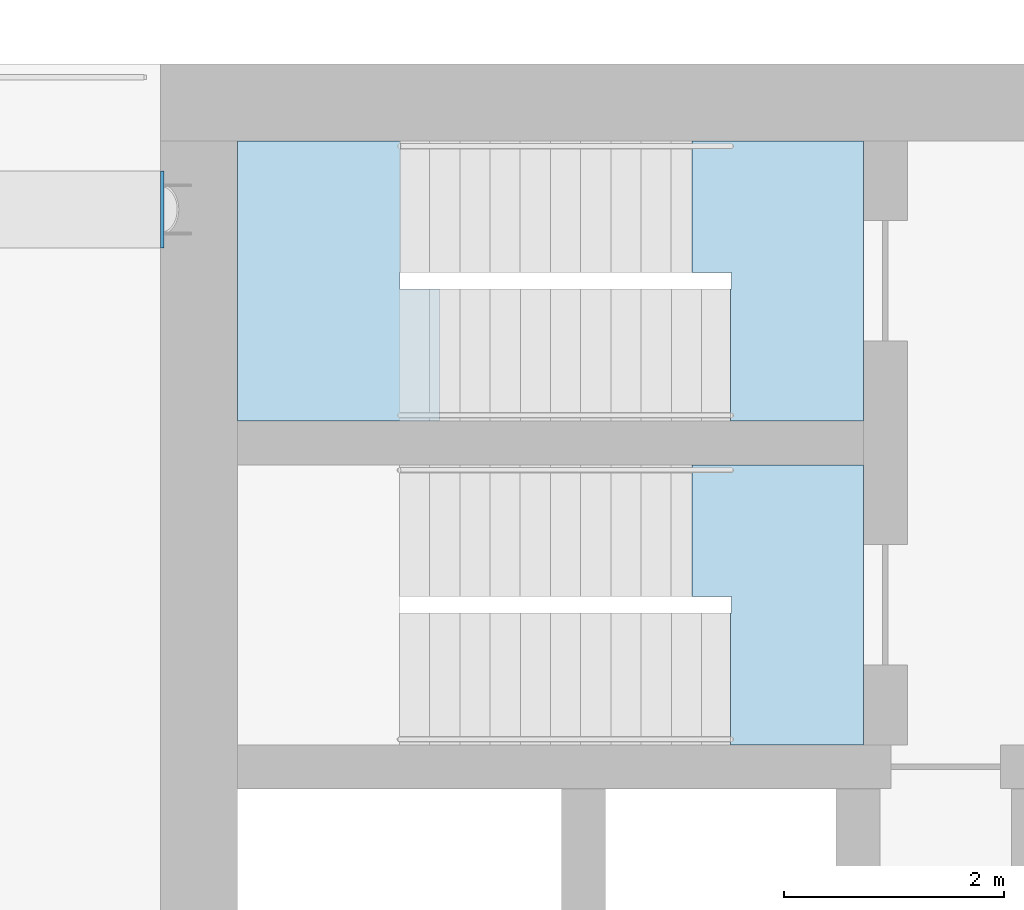
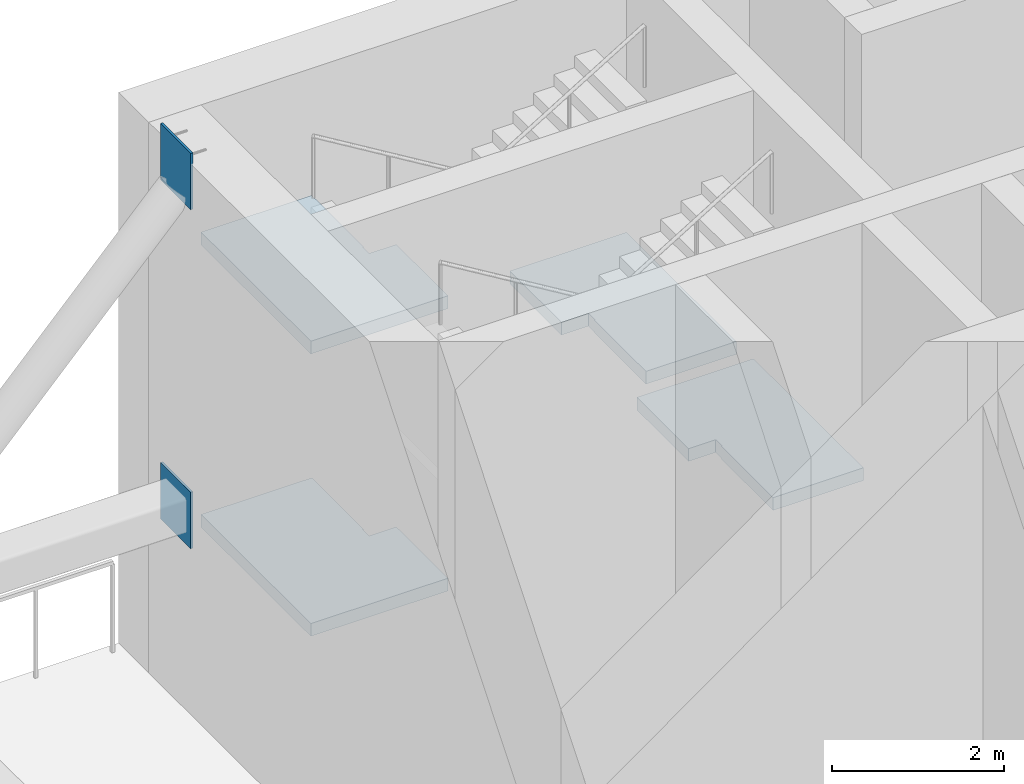
# One storey, part 2 of 9: 4 slabs, 2 plates, 2 elements without a shape of their own.
"""IFC4 building model written with IfcOpenShell, lengths in metres."""

import ifcopenshell
import ifcopenshell.guid

model = None  # the IFC model being written
_history = None  # IfcOwnerHistory: only IFC2X3 demands one
_inside = {}  # id of a spatial element -> (the spatial element, [elements in it])
_under = {}  # id of a project, library or spatial element -> (it, [spatial elements below it])
_declared = {}  # id of a project -> (the project, [libraries it declares])
_typed = {}  # id of a type object -> (the type object, [elements of that type])
_made_of = {}  # id of a material, layer set ... -> (it, [elements and type objects made of it])


def new_model(schema):
    """Start an empty IFC model of exactly this schema.

    Asked for "IFC4X3", IfcOpenShell would pick the latest addendum, in which some entities
    have other attributes; the version numbers below select the first issue.
    IFC2X3 requires an IfcOwnerHistory on every rooted entity: one is made here for all.
    """
    global model, _history
    if schema == "IFC4X3":
        model = ifcopenshell.file(schema_version=(4, 3, 0, 0))
    else:
        model = ifcopenshell.file(schema=schema)
    _inside.clear()
    _under.clear()
    _declared.clear()
    _typed.clear()
    _made_of.clear()
    _history = None
    if model.schema == "IFC2X3":
        org = make("IfcOrganization", Name="unknown")
        user = make(
            "IfcPersonAndOrganization",
            ThePerson=make("IfcPerson", FamilyName="unknown"),
            TheOrganization=org,
        )
        app = make(
            "IfcApplication",
            ApplicationDeveloper=org,
            Version="unknown",
            ApplicationFullName="unknown",
            ApplicationIdentifier="unknown",
        )
        _history = make(
            "IfcOwnerHistory",
            OwningUser=user,
            OwningApplication=app,
            ChangeAction="ADDED",
            CreationDate=0,
        )
    return model


def make(cls, **values):
    """One entity of the class cls with the attributes given. An attribute that is None is left unset."""
    return model.create_entity(
        cls, **{name: value for name, value in values.items() if value is not None}
    )


def rooted(cls, **values):
    """An entity with a GlobalId (a new one), such as an element, a storey or a relation."""
    return make(cls, GlobalId=ifcopenshell.guid.new(), OwnerHistory=_history, **values)


def si_unit(unit_type, name, prefix=None):
    """IfcSIUnit, for example si_unit("LENGTHUNIT", "METRE", prefix="MILLI")."""
    return make("IfcSIUnit", UnitType=unit_type, Prefix=prefix, Name=name)


def assignment(units):
    """IfcUnitAssignment: the units of a project."""
    return None if units is None else make("IfcUnitAssignment", Units=units)


def point(xyz):
    """IfcCartesianPoint."""
    return None if xyz is None else make("IfcCartesianPoint", Coordinates=xyz)


def direction(xyz):
    """IfcDirection."""
    return None if xyz is None else make("IfcDirection", DirectionRatios=xyz)


def frame(location, z_axis=None, x_axis=None):
    """IfcAxis2Placement3D, a coordinate frame: its origin and axes. An axis left out is left unset."""
    return make(
        "IfcAxis2Placement3D",
        Location=point(location),
        Axis=direction(z_axis),
        RefDirection=direction(x_axis),
    )


def frame_2d(location, x_axis=None):
    """IfcAxis2Placement2D, a coordinate frame in the plane: its origin and x axis."""
    return make(
        "IfcAxis2Placement2D", Location=point(location), RefDirection=direction(x_axis)
    )


def origin():
    """The frame at (0, 0, 0) with its axes left unset."""
    return frame((0.0, 0.0, 0.0))


def origin_2d():
    """The frame at (0, 0) in the plane with its x axis left unset."""
    return frame_2d((0.0, 0.0))


def place(relative_to, where):
    """IfcLocalPlacement: puts the frame where relative to a parent placement (None: the world)."""
    return make(
        "IfcLocalPlacement", PlacementRelTo=relative_to, RelativePlacement=where
    )


def context(
    kind, dimensions, precision=None, world=None, true_north=None, identifier=None
):
    """IfcGeometricRepresentationContext, for example the 3D "Model" context."""
    return make(
        "IfcGeometricRepresentationContext",
        ContextIdentifier=identifier,
        ContextType=kind,
        CoordinateSpaceDimension=dimensions,
        Precision=precision,
        WorldCoordinateSystem=world,
        TrueNorth=true_north,
    )


def subcontext(parent, identifier, kind, view, scale=None):
    """IfcGeometricRepresentationSubContext, for example "Body" below "Model"."""
    return make(
        "IfcGeometricRepresentationSubContext",
        ContextIdentifier=identifier,
        ContextType=kind,
        ParentContext=parent,
        TargetScale=scale,
        TargetView=view,
    )


def project(units=None, contexts=None):
    """IfcProject with its units and contexts."""
    return rooted(
        "IfcProject",
        Name="project",
        RepresentationContexts=contexts,
        UnitsInContext=assignment(units),
    )


def spatial(cls, under=None, at=None, **own):
    """A site, building, storey or space (cls), placed at a placement, below another one or the project."""
    s = rooted(cls, ObjectPlacement=at, **own)
    if under is not None:
        _under.setdefault(under.id(), (under, []))[1].append(s)
    return s


def polyline(points):
    """IfcPolyline through the points."""
    return make("IfcPolyline", Points=[point(p) for p in points])


def profile(cls, at=None, kind="AREA", **sizes):
    """A parametric profile (cls). Its sizes go by their IFC names, for example OverallWidth=200.0."""
    return make(cls, ProfileType=kind, Position=at, **sizes)


def rectangle(**sizes):
    """IfcRectangleProfileDef."""
    return profile("IfcRectangleProfileDef", **sizes)


def outline(outer, holes=None, kind="AREA"):
    """IfcArbitraryClosedProfileDef: a profile drawn as a closed curve; with holes, ...WithVoids."""
    if holes is None:
        return make("IfcArbitraryClosedProfileDef", ProfileType=kind, OuterCurve=outer)
    return make(
        "IfcArbitraryProfileDefWithVoids",
        ProfileType=kind,
        OuterCurve=outer,
        InnerCurves=holes,
    )


def extrude(swept, where, along, depth):
    """IfcExtrudedAreaSolid: the profile swept, set in the frame where, extruded along a direction by depth."""
    return make(
        "IfcExtrudedAreaSolid",
        SweptArea=swept,
        Position=where,
        ExtrudedDirection=direction(along),
        Depth=depth,
    )


def shape(context_of_items, identifier, shape_type, items):
    """IfcShapeRepresentation: the items that make up one representation, for example the "Body"."""
    return make(
        "IfcShapeRepresentation",
        ContextOfItems=context_of_items,
        RepresentationIdentifier=identifier,
        RepresentationType=shape_type,
        Items=items,
    )


def source(mapping_origin, context_of_items, identifier, shape_type, items):
    """IfcRepresentationMap: a shape defined once, which mapped items show again and again."""
    return make(
        "IfcRepresentationMap",
        MappingOrigin=mapping_origin,
        MappedRepresentation=shape(context_of_items, identifier, shape_type, items),
    )


def transform(
    local_origin,
    x_axis=None,
    y_axis=None,
    z_axis=None,
    scale=None,
    scale2=None,
    scale3=None,
    uniform=True,
):
    """IfcCartesianTransformationOperator3D, or its non-uniform kind. x_axis, y_axis, z_axis: its Axis1, 2, 3."""
    if uniform:
        return make(
            "IfcCartesianTransformationOperator3D",
            Axis1=direction(x_axis),
            Axis2=direction(y_axis),
            LocalOrigin=point(local_origin),
            Scale=scale,
            Axis3=direction(z_axis),
        )
    return make(
        "IfcCartesianTransformationOperator3DnonUniform",
        Axis1=direction(x_axis),
        Axis2=direction(y_axis),
        LocalOrigin=point(local_origin),
        Scale=scale,
        Axis3=direction(z_axis),
        Scale2=scale2,
        Scale3=scale3,
    )


def mapped(mapping_source, mapping_target):
    """IfcMappedItem: shows the shape of a source again, moved by a transform."""
    return make(
        "IfcMappedItem", MappingSource=mapping_source, MappingTarget=mapping_target
    )


def material(Name=None, Category=None):
    """IfcMaterial."""
    return make("IfcMaterial", Name=Name, Category=Category)


def layer(
    of_material, thickness, ventilated=None, Name=None, Category=None, Priority=None
):
    """IfcMaterialLayer: one layer of a wall or slab, of a material (None: an air gap)."""
    return make(
        "IfcMaterialLayer",
        Material=of_material,
        LayerThickness=thickness,
        IsVentilated=ventilated,
        Name=Name,
        Category=Category,
        Priority=Priority,
    )


def layer_set(layers, Name=None):
    """IfcMaterialLayerSet."""
    return make("IfcMaterialLayerSet", MaterialLayers=layers, LayerSetName=Name)


def made_of(thing, what):
    """Note that an element or type object is made of a material, layer set ...; save() writes the relation."""
    if what is not None:
        _made_of.setdefault(what.id(), (what, []))[1].append(thing)
    return thing


def type_object(cls, material=None, **own):
    """A type object (cls), such as IfcWallType, which elements share."""
    return made_of(rooted(cls, **own), material)


def element(
    cls,
    number,
    at=None,
    inside=None,
    cuts=None,
    type_object=None,
    material=None,
    context=None,
    identifier="Body",
    shape_type=None,
    held_by="IfcProductDefinitionShape",
    body=None,
    shapes=None,
    **own,
):
    """One element of the class cls, such as IfcWall. Its Tag is "e" and its number.

    at: its placement. inside: the storey or other place that contains it. cuts: it is an
    opening in that element (IfcRelVoidsElement). A single representation is given by context,
    identifier, shape_type and body (its items); several are given by shapes. held_by: the class
    of the entity that holds the representations. save() writes the other relations.
    """
    e = rooted(cls, Tag="e%d" % number, ObjectPlacement=at, **own)
    if body is not None:
        shapes = [shape(context, identifier, shape_type, body)]
    if shapes is not None:
        e.Representation = make(held_by, Representations=shapes)
    if inside is not None:
        _inside.setdefault(inside.id(), (inside, []))[1].append(e)
    if cuts is not None:
        rooted(
            "IfcRelVoidsElement", RelatingBuildingElement=cuts, RelatedOpeningElement=e
        )
    if type_object is not None:
        _typed.setdefault(type_object.id(), (type_object, []))[1].append(e)
    return made_of(e, material)


def aggregate(whole, parts):
    """IfcRelAggregates: a whole, such as a stair, and the parts it consists of."""
    return rooted("IfcRelAggregates", RelatingObject=whole, RelatedObjects=parts)


def save(model, path):
    """Write the relations noted so far, then the file.

    IfcRelAggregates (storeys below a building ...), IfcRelContainedInSpatialStructure (elements
    in a storey), IfcRelDefinesByType, IfcRelAssociatesMaterial and IfcRelDeclares: one each for
    every whole, place, type object, material and project.
    """
    for whole, parts in _under.values():
        aggregate(whole, parts)
    for where, things in _inside.values():
        rooted(
            "IfcRelContainedInSpatialStructure",
            RelatedElements=things,
            RelatingStructure=where,
        )
    for kind, things in _typed.values():
        rooted("IfcRelDefinesByType", RelatedObjects=things, RelatingType=kind)
    for what, things in _made_of.values():
        rooted("IfcRelAssociatesMaterial", RelatedObjects=things, RelatingMaterial=what)
    for by, libraries in _declared.values():
        rooted("IfcRelDeclares", RelatingContext=by, RelatedDefinitions=libraries)
    model.write(path)


model = new_model("IFC4")

# Units and contexts
model_context = context("Model", 3, precision=1e-05, world=origin(), true_north=direction((0.0, 1.0)))
body_context = subcontext(model_context, "Body", "Model", "MODEL_VIEW")
ifc_project = project(units=[si_unit("LENGTHUNIT", "METRE"), si_unit("AREAUNIT", "SQUARE_METRE"), si_unit("VOLUMEUNIT", "CUBIC_METRE"), si_unit("PLANEANGLEUNIT", "RADIAN"), si_unit("MASSUNIT", "GRAM", prefix="KILO")], contexts=[model_context])

# Site, building, storey
site_placement = place(None, origin())
site = spatial("IfcSite", under=ifc_project, at=site_placement, CompositionType="ELEMENT")
building_placement = place(site_placement, origin())
building = spatial("IfcBuilding", under=site, at=building_placement, Name="Trellis Farm Tower", CompositionType="ELEMENT")
storey_placement = place(building_placement, frame((0.0, 0.0, 271.39990234375)))
storey = spatial("IfcBuildingStorey", under=building, at=storey_placement, Name="L61", CompositionType="ELEMENT", Elevation=271.39990234375)

# Plates
ifc_material_1 = material(Name="Steel S355", Category="steel")
ifc_layer_1 = layer(ifc_material_1, 0.030029296875)
ifc_layer_set_1 = layer_set([ifc_layer_1], Name="Cast-in plate 30")
plate_type = type_object("IfcPlateType", Name="Cast-in plate 30", PredefinedType="SHEET", material=ifc_layer_set_1)
shared_shape_1 = source(origin(), body_context, "Body", "SweptSolid", [
    extrude(rectangle(XDim=0.030029296875, YDim=0.699951171875, at=origin_2d()), origin(), (0.0, 0.0, 1.0), 0.800048828125),
])
for number, where, z_axis, x_axis, name in (
    (1, (-22.735107421875, 5.175048828125, 2.35009765625), (0.0, 0.0, 1.0), (1.0, 0.0, 0.0), "Cast-in plate"),
    (2, (-22.735107421875, 5.175048828125, 7.14990234375), (0.0, 0.0, 1.0), (1.0, 0.0, 0.0), "Cast-in plate"),
):
    element("IfcPlate", number, at=place(storey_placement, frame(where, z_axis=z_axis, x_axis=x_axis)), inside=storey, type_object=plate_type, Name=name, PredefinedType="SHEET", context=body_context, shape_type="MappedRepresentation", body=[
        mapped(shared_shape_1, transform((0.0, 0.0, 0.0))),
    ])

# Stair, slabs
ifc_material_2 = material(Name="Concrete C50/60", Category="concrete")
stair_type = type_object("IfcStairType", Name="CORE EXIT STAIR 48 RISERS 167 MM", PredefinedType="HALF_TURN_STAIR", material=ifc_material_2)
placement_1 = place(storey_placement, origin())
stair_1 = element("IfcStair", 3, at=placement_1, inside=storey, type_object=stair_type, Name="Exit stair W1", PredefinedType="HALF_TURN_STAIR")
ifc_layer_2 = layer(ifc_material_2, 0.179931640625)
ifc_layer_set_2 = layer_set([ifc_layer_2], Name="CORE STAIR LANDING 180 CONCRETE C50/60")
slab_type = type_object("IfcSlabType", Name="CORE STAIR LANDING 180 CONCRETE C50/60", PredefinedType="LANDING", material=ifc_layer_set_2)
shared_shape_2 = source(origin(), body_context, "Body", "SweptSolid", [
    extrude(outline(polyline([(-20.21240234375, 4.449951171875), (-20.21240234375, 3.25), (-20.574951171875, 3.25), (-22.050048828125, 3.25), (-22.050048828125, 5.800048828125), (-20.574951171875, 5.800048828125), (-20.56494140625, 5.800048828125), (-20.56494140625, 4.60009765625), (-20.574951171875, 4.60009765625), (-20.574951171875, 4.449951171875), (-20.21240234375, 4.449951171875)])), origin(), (0.0, 0.0, 1.0), 0.179931640625),
])
slab_1_placement = place(storey_placement, frame((0.0, 0.0, 1.820068359375)))
slab_1 = element("IfcSlab", 4, at=slab_1_placement, type_object=slab_type, Name="STW1 landing 1", PredefinedType="LANDING", context=body_context, shape_type="MappedRepresentation", body=[
    mapped(shared_shape_2, transform((0.0, 0.0, 0.0))),
])
slab_2_placement = place(storey_placement, frame((0.0, 0.0, 5.820068359375)))
slab_2 = element("IfcSlab", 5, at=slab_2_placement, type_object=slab_type, Name="STW1 landing 3", PredefinedType="LANDING", context=body_context, shape_type="MappedRepresentation", body=[
    mapped(shared_shape_2, transform((0.0, 0.0, 0.0))),
])
shared_shape_3 = source(origin(), body_context, "Body", "SweptSolid", [
    extrude(outline(polyline([(-17.56005859375, 3.25), (-17.56005859375, 4.449951171875), (-17.550048828125, 4.449951171875), (-17.550048828125, 4.60009765625), (-17.91259765625, 4.60009765625), (-17.91259765625, 5.800048828125), (-17.550048828125, 5.800048828125), (-16.35009765625, 5.800048828125), (-16.35009765625, 3.25), (-17.550048828125, 3.25), (-17.56005859375, 3.25)])), origin(), (0.0, 0.0, 1.0), 0.179931640625),
])
placement_2 = place(storey_placement, frame((0.0, 0.0, 3.820068359375)))
slab_3 = element("IfcSlab", 6, at=placement_2, type_object=slab_type, Name="STW1 landing 2", PredefinedType="LANDING", context=body_context, shape_type="MappedRepresentation", body=[
    mapped(shared_shape_3, transform((0.0, 0.0, 0.0))),
])
aggregate(stair_1, [slab_1, slab_3, slab_2])

# Stair, slab
stair_2 = element("IfcStair", 7, at=placement_1, inside=storey, type_object=stair_type, Name="Exit stair W2", PredefinedType="HALF_TURN_STAIR")
shared_shape_4 = source(origin(), body_context, "Body", "SweptSolid", [
    extrude(outline(polyline([(-17.56005859375, 0.300048828125), (-17.56005859375, 1.5), (-17.550048828125, 1.5), (-17.550048828125, 1.64990234375), (-17.91259765625, 1.64990234375), (-17.91259765625, 2.85009765625), (-17.550048828125, 2.85009765625), (-16.35009765625, 2.85009765625), (-16.35009765625, 0.300048828125), (-17.550048828125, 0.300048828125), (-17.56005859375, 0.300048828125)])), origin(), (0.0, 0.0, 1.0), 0.179931640625),
])
slab_4 = element("IfcSlab", 8, at=placement_2, type_object=slab_type, Name="STW2 landing 2", PredefinedType="LANDING", context=body_context, shape_type="MappedRepresentation", body=[
    mapped(shared_shape_4, transform((0.0, 0.0, 0.0))),
])
aggregate(stair_2, [slab_4])

save(model, "model.ifc")
